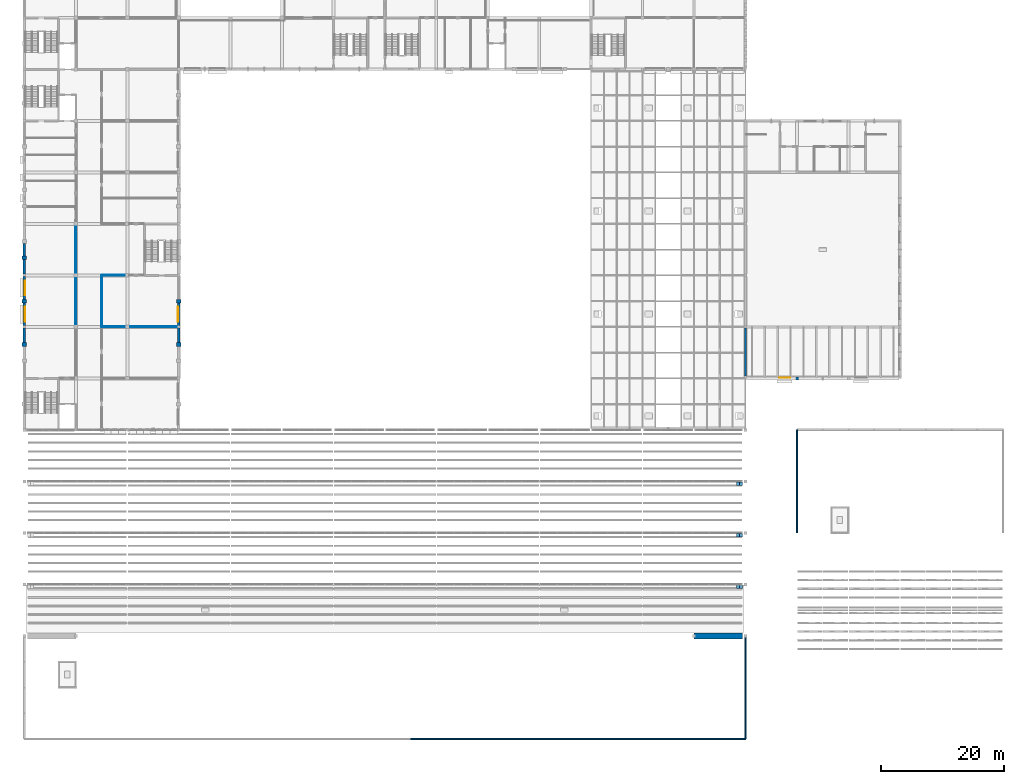
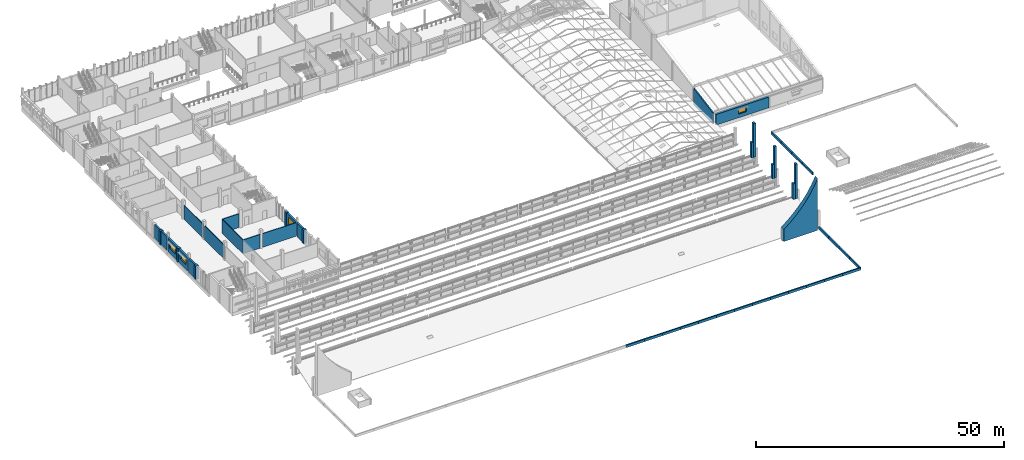
# One storey, part 94 of 116: 48 walls, 4 windows, 4 openings.
"""IFC4 building model written with IfcOpenShell, lengths in metres."""

from ifc_helpers import new_model, si_unit, direction, frame, frame_2d, origin, place, context, subcontext, project, spatial, polyline, rectangle, outline, extrude, material, layer, layer_set, type_object, element, fill, save


model = new_model("IFC4")

# Units and contexts
model_context = context("Model", 3, precision=1e-05, world=origin(), true_north=direction((0.0, 1.0)))
body_context = subcontext(model_context, "Body", "Model", "MODEL_VIEW")
ifc_project = project(units=[si_unit("LENGTHUNIT", "METRE"), si_unit("AREAUNIT", "SQUARE_METRE"), si_unit("VOLUMEUNIT", "CUBIC_METRE"), si_unit("PLANEANGLEUNIT", "RADIAN"), si_unit("MASSUNIT", "GRAM", prefix="KILO")], contexts=[model_context])

# Site, building, storey
site_placement = place(None, origin())
site = spatial("IfcSite", under=ifc_project, at=site_placement, CompositionType="ELEMENT")
building_placement = place(site_placement, origin())
building = spatial("IfcBuilding", under=site, at=building_placement, Name="Fescue Hill Polytechnic", CompositionType="ELEMENT")
storey_placement = place(building_placement, frame((0.0, 0.0, 13.5)))
storey = spatial("IfcBuildingStorey", under=building, at=storey_placement, Name="L03", CompositionType="ELEMENT", Elevation=13.5)

# Walls
ifc_material_1 = material(Name="Clay brick masonry", Category="masonry")
ifc_layer_1 = layer(ifc_material_1, 0.60009765625)
ifc_layer_set_1 = layer_set([ifc_layer_1], Name="Clay brick masonry")
wall_type_1 = type_object("IfcWallType", Name="Brick crest pier 600", PredefinedType="SOLIDWALL", material=ifc_layer_set_1)
wall_1_placement = place(storey_placement, frame((117.10009765625, 24.800048828125, 2.949951171875), z_axis=(0.0, 0.0, 1.0), x_axis=(-1.0, 0.0, 0.0)))
element("IfcWall", 1, at=wall_1_placement, inside=storey, type_object=wall_type_1, Name="Hall east gable crest buttress 01", PredefinedType="SOLIDWALL", context=body_context, shape_type="SweptSolid", body=[
    extrude(rectangle(XDim=0.5, YDim=0.60009765625, at=frame_2d((0.25, 0.0))), origin(), (0.0, 0.0, 1.0), 8.526123046875),
])
wall_2_placement = place(storey_placement, frame((116.60009765625, 24.800048828125, 2.949951171875), z_axis=(0.0, 0.0, 1.0), x_axis=(-1.0, 0.0, 0.0)))
element("IfcWall", 2, at=wall_2_placement, inside=storey, type_object=wall_type_1, Name="Hall east gable crest buttress 01 foot", PredefinedType="SOLIDWALL", context=body_context, shape_type="SweptSolid", body=[
    extrude(rectangle(XDim=0.5, YDim=0.60009765625, at=frame_2d((0.25, 0.0))), origin(), (0.0, 0.0, 1.0), 3.837158203125),
])
wall_3_placement = place(storey_placement, frame((117.10009765625, 33.199951171875, 2.949951171875), z_axis=(0.0, 0.0, 1.0), x_axis=(-1.0, 0.0, 0.0)))
element("IfcWall", 3, at=wall_3_placement, inside=storey, type_object=wall_type_1, Name="Hall east gable crest buttress 02", PredefinedType="SOLIDWALL", context=body_context, shape_type="SweptSolid", body=[
    extrude(rectangle(XDim=0.5, YDim=0.60009765625, at=frame_2d((0.25, 0.0))), origin(), (0.0, 0.0, 1.0), 7.697021484375),
])
wall_4_placement = place(storey_placement, frame((116.60009765625, 33.199951171875, 2.949951171875), z_axis=(0.0, 0.0, 1.0), x_axis=(-1.0, 0.0, 0.0)))
element("IfcWall", 4, at=wall_4_placement, inside=storey, type_object=wall_type_1, Name="Hall east gable crest buttress 02 foot", PredefinedType="SOLIDWALL", context=body_context, shape_type="SweptSolid", body=[
    extrude(rectangle(XDim=0.5, YDim=0.60009765625, at=frame_2d((0.25, 0.0))), origin(), (0.0, 0.0, 1.0), 3.464111328125),
])
wall_5_placement = place(storey_placement, frame((117.10009765625, 41.60009765625, 2.949951171875), z_axis=(0.0, 0.0, 1.0), x_axis=(-1.0, 0.0, 0.0)))
element("IfcWall", 5, at=wall_5_placement, inside=storey, type_object=wall_type_1, Name="Hall east gable crest buttress 03", PredefinedType="SOLIDWALL", context=body_context, shape_type="SweptSolid", body=[
    extrude(rectangle(XDim=0.5, YDim=0.60009765625, at=frame_2d((0.25, 0.0))), origin(), (0.0, 0.0, 1.0), 8.381103515625),
])
wall_6_placement = place(storey_placement, frame((116.60009765625, 41.60009765625, 2.949951171875), z_axis=(0.0, 0.0, 1.0), x_axis=(-1.0, 0.0, 0.0)))
element("IfcWall", 6, at=wall_6_placement, inside=storey, type_object=wall_type_1, Name="Hall east gable crest buttress 03 foot", PredefinedType="SOLIDWALL", context=body_context, shape_type="SweptSolid", body=[
    extrude(rectangle(XDim=0.5, YDim=0.60009765625, at=frame_2d((0.25, 0.0))), origin(), (0.0, 0.0, 1.0), 3.77099609375),
])
ifc_layer_2 = layer(ifc_material_1, 1.0)
ifc_layer_set_2 = layer_set([ifc_layer_2], Name="Clay brick masonry")
wall_type_2 = type_object("IfcWallType", Name="Brick crest wall 1000", PredefinedType="SOLIDWALL", material=ifc_layer_set_2)
wall_7_placement = place(storey_placement, frame((109.199951171875, 16.800048828125, 0.0), z_axis=(0.0, 0.0, 1.0), x_axis=(1.0, 0.0, 0.0)))
element("IfcWall", 7, at=wall_7_placement, inside=storey, type_object=wall_type_2, Name="Hall east crest south return", PredefinedType="SOLIDWALL", context=body_context, shape_type="SweptSolid", body=[
    extrude(outline(polyline([(0.0, 0.0), (7.900146484375, 0.0), (7.89990234375, 12.809326171875), (6.91259765625, 10.851806640625), (5.925048828125, 9.2373046875), (4.9375, 7.8564453125), (3.949951171875, 6.64990234375), (2.96240234375, 5.581787109375), (1.97509765625, 4.6279296875), (0.987548828125, 3.771484375), (0.0, 3.0), (0.0, 0.0)])), frame((0.0, 0.5, 0.0), z_axis=(0.0, -1.0, 0.0), x_axis=(1.0, 0.0, 0.0)), (0.0, 0.0, 1.0), 1.0),
])
ifc_material_2 = material(Name="Gypsum board partition")
ifc_layer_3 = layer(ifc_material_2, 0.14990234375)
ifc_layer_set_3 = layer_set([ifc_layer_3], Name="Gypsum board partition")
wall_type_3 = type_object("IfcWallType", Name="Corridor wall 150 EI 45", PredefinedType="PARTITIONING", material=ifc_layer_set_3)
wall_8_placement = place(storey_placement, frame((12.60009765625, 67.199951171875, 0.0), z_axis=(0.0, 0.0, 1.0), x_axis=(0.0, 1.0, 0.0)))
element("IfcWall", 8, at=wall_8_placement, inside=storey, type_object=wall_type_3, Name="IW-L03-045", PredefinedType="PARTITIONING", context=body_context, shape_type="SweptSolid", body=[
    extrude(rectangle(XDim=8.400146484375, YDim=0.14990234375, at=frame_2d((4.2001953125, 0.0))), origin(), (0.0, 0.0, 1.0), 3.39990234375),
])

# Wall, opening, window
ifc_material_3 = material(Name="Concrete 40 MPa", Category="concrete")
ifc_layer_4 = layer(ifc_material_3, 0.449951171875)
ifc_layer_set_4 = layer_set([ifc_layer_4], Name="Concrete 40 MPa")
wall_type_4 = type_object("IfcWallType", Name="Exterior wall board-marked concrete 450", PredefinedType="SOLIDWALL", material=ifc_layer_set_4)
wall_9_placement = place(storey_placement, frame((117.800048828125, 58.800048828125, 0.0), z_axis=(0.0, 0.0, 1.0), x_axis=(1.0, 0.0, 0.0)))
wall_9 = element("IfcWall", 9, at=wall_9_placement, inside=storey, type_object=wall_type_4, Name="EW-L03-V2-14", PredefinedType="SOLIDWALL", context=body_context, shape_type="SweptSolid", body=[
    extrude(rectangle(XDim=12.33984375, YDim=0.449951171875, at=frame_2d((6.169921875, 0.0))), origin(), (0.0, 0.0, 1.0), 2.64990234375),
])
opening_1_placement = place(wall_9_placement, frame((5.27001953125, 0.0, 0.89990234375)))
opening_1 = element("IfcOpeningElement", 10, at=opening_1_placement, cuts=wall_9, Name="Opening W7R", PredefinedType="OPENING", context=body_context, shape_type="SweptSolid", body=[
    extrude(rectangle(XDim=1.800048828125, YDim=1.199951171875, at=frame_2d((0.89990234375, 0.60009765625))), frame((0.0, 0.23486328125, 0.0), z_axis=(0.0, -1.0, 0.0), x_axis=(1.0, 0.0, 0.0)), (0.0, 0.0, 1.0), 0.469970703125),
])
ifc_material_4 = material(Name="Powder-coated aluminium and glass", Category="aluminium")
window_type_1 = type_object("IfcWindowType", Name="Window seminar 1800x1200", PartitioningType="DOUBLE_PANEL_VERTICAL", PredefinedType="WINDOW", material=ifc_material_4)
window_1_placement = place(opening_1_placement, origin())
window_1 = element("IfcWindow", 11, at=window_1_placement, inside=storey, type_object=window_type_1, Name="WN-L03-V2-3", OverallHeight=1.199951171875, OverallWidth=1.800048828125, PartitioningType="SINGLE_PANEL", PredefinedType="WINDOW", context=body_context, shape_type="SweptSolid", body=[
    extrude(rectangle(XDim=1.800048828125, YDim=1.199951171875, at=frame_2d((0.89990234375, 0.60009765625))), frame((0.0, 0.135009765625, 0.0), z_axis=(0.0, -1.0, 0.0), x_axis=(1.0, 0.0, 0.0)), (0.0, 0.0, 1.0), 0.06005859375),
])
fill(opening_1, window_1)

# Wall
ifc_material_5 = material(Name="Terracotta rainscreen on concrete block", Category="masonry")
ifc_layer_5 = layer(ifc_material_5, 0.3798828125)
ifc_layer_set_5 = layer_set([ifc_layer_5], Name="Terracotta rainscreen on concrete block")
wall_type_5 = type_object("IfcWallType", Name="Exterior wall rainscreen terracotta on blockwork 380", PredefinedType="SOLIDWALL", material=ifc_layer_set_5)
wall_10_placement = place(storey_placement, frame((25.199951171875, 64.63330078125, 0.0), z_axis=(0.0, 0.0, 1.0), x_axis=(0.0, 1.0, 0.0)))
element("IfcWall", 12, at=wall_10_placement, inside=storey, type_object=wall_type_5, Name="EW-L03-V4-5", PredefinedType="SOLIDWALL", context=body_context, shape_type="SweptSolid", body=[
    extrude(rectangle(XDim=2.36669921875, YDim=0.3798828125, at=frame_2d((1.183349609375, 0.0))), origin(), (0.0, 0.0, 1.0), 3.35009765625),
])

# Wall, opening, window
wall_11_placement = place(storey_placement, frame((25.199951171875, 67.39990234375, 0.0), z_axis=(0.0, 0.0, 1.0), x_axis=(0.0, 1.0, 0.0)))
wall_11 = element("IfcWall", 13, at=wall_11_placement, inside=storey, type_object=wall_type_5, Name="EW-L03-V4-6", PredefinedType="SOLIDWALL", context=body_context, shape_type="SweptSolid", body=[
    extrude(rectangle(XDim=3.7001953125, YDim=0.3798828125, at=frame_2d((1.85009765625, 0.0))), origin(), (0.0, 0.0, 1.0), 3.35009765625),
])
opening_2_placement = place(wall_11_placement, frame((0.64990234375, 0.0, 1.199951171875)))
opening_2 = element("IfcOpeningElement", 14, at=opening_2_placement, cuts=wall_11, Name="Opening W3", PredefinedType="OPENING", context=body_context, shape_type="SweptSolid", body=[
    extrude(rectangle(XDim=2.39990234375, YDim=1.5, at=frame_2d((1.199951171875, 0.75))), frame((0.0, 0.199951171875, 0.0), z_axis=(0.0, -1.0, 0.0), x_axis=(1.0, 0.0, 0.0)), (0.0, 0.0, 1.0), 0.39990234375),
])
window_type_2 = type_object("IfcWindowType", Name="Window laboratory strip 2400x1500", PartitioningType="TRIPLE_PANEL_VERTICAL", PredefinedType="WINDOW", material=ifc_material_4)
window_2_placement = place(opening_2_placement, origin())
window_2 = element("IfcWindow", 15, at=window_2_placement, inside=storey, type_object=window_type_2, Name="WN-L03-V4-3", OverallHeight=1.5, OverallWidth=2.39990234375, PartitioningType="SINGLE_PANEL", PredefinedType="WINDOW", context=body_context, shape_type="SweptSolid", body=[
    extrude(rectangle(XDim=2.39990234375, YDim=1.5, at=frame_2d((1.199951171875, 0.75))), frame((0.0, 0.150146484375, 0.0), z_axis=(0.0, -1.0, 0.0), x_axis=(1.0, 0.0, 0.0)), (0.0, 0.0, 1.0), 0.06005859375),
])
fill(opening_2, window_2)

# Walls
wall_12_placement = place(storey_placement, frame((0.0, 80.833251953125, 0.0), z_axis=(0.0, 0.0, 1.0), x_axis=(0.0, -1.0, 0.0)))
element("IfcWall", 16, at=wall_12_placement, inside=storey, type_object=wall_type_5, Name="EW-L03-V4-27", PredefinedType="SOLIDWALL", context=body_context, shape_type="SweptSolid", body=[
    extrude(rectangle(XDim=2.066650390625, YDim=0.3798828125, at=frame_2d((1.033203125, 0.0))), origin(), (0.0, 0.0, 1.0), 3.35009765625),
])
wall_13_placement = place(storey_placement, frame((0.0, 78.166748046875, 0.0), z_axis=(0.0, 0.0, 1.0), x_axis=(0.0, -1.0, 0.0)))
element("IfcWall", 17, at=wall_13_placement, inside=storey, type_object=wall_type_5, Name="EW-L03-V4-28", PredefinedType="SOLIDWALL", context=body_context, shape_type="SweptSolid", body=[
    extrude(rectangle(XDim=2.36669921875, YDim=0.3798828125, at=frame_2d((1.183349609375, 0.0))), origin(), (0.0, 0.0, 1.0), 3.35009765625),
])

# Wall, opening, window
wall_14_placement = place(storey_placement, frame((0.0, 75.39990234375, 0.0), z_axis=(0.0, 0.0, 1.0), x_axis=(0.0, -1.0, 0.0)))
wall_14 = element("IfcWall", 18, at=wall_14_placement, inside=storey, type_object=wall_type_5, Name="EW-L03-V4-29", PredefinedType="SOLIDWALL", context=body_context, shape_type="SweptSolid", body=[
    extrude(rectangle(XDim=3.699951171875, YDim=0.3798828125, at=frame_2d((1.85009765625, 0.0))), origin(), (0.0, 0.0, 1.0), 3.35009765625),
])
opening_3_placement = place(wall_14_placement, frame((0.64990234375, 0.0, 1.199951171875)))
opening_3 = element("IfcOpeningElement", 19, at=opening_3_placement, cuts=wall_14, Name="Opening W3", PredefinedType="OPENING", context=body_context, shape_type="SweptSolid", body=[
    extrude(rectangle(XDim=2.39990234375, YDim=1.5, at=frame_2d((1.199951171875, 0.75))), frame((0.0, 0.199951171875, 0.0), z_axis=(0.0, -1.0, 0.0), x_axis=(1.0, 0.0, 0.0)), (0.0, 0.0, 1.0), 0.39990234375),
])
window_3_placement = place(opening_3_placement, origin())
window_3 = element("IfcWindow", 20, at=window_3_placement, inside=storey, type_object=window_type_2, Name="WN-L03-V4-12", OverallHeight=1.5, OverallWidth=2.39990234375, PartitioningType="SINGLE_PANEL", PredefinedType="WINDOW", context=body_context, shape_type="SweptSolid", body=[
    extrude(rectangle(XDim=2.39990234375, YDim=1.5, at=frame_2d((1.199951171875, 0.75))), frame((0.0, 0.150146484375, 0.0), z_axis=(0.0, -1.0, 0.0), x_axis=(1.0, 0.0, 0.0)), (0.0, 0.0, 1.0), 0.06005859375),
])
fill(opening_3, window_3)

wall_15_placement = place(storey_placement, frame((0.0, 71.10009765625, 0.0), z_axis=(0.0, 0.0, 1.0), x_axis=(0.0, -1.0, 0.0)))
wall_15 = element("IfcWall", 21, at=wall_15_placement, inside=storey, type_object=wall_type_5, Name="EW-L03-V4-30", PredefinedType="SOLIDWALL", context=body_context, shape_type="SweptSolid", body=[
    extrude(rectangle(XDim=3.7001953125, YDim=0.3798828125, at=frame_2d((1.85009765625, 0.0))), origin(), (0.0, 0.0, 1.0), 3.35009765625),
])
opening_4_placement = place(wall_15_placement, frame((0.64990234375, 0.0, 1.199951171875)))
opening_4 = element("IfcOpeningElement", 22, at=opening_4_placement, cuts=wall_15, Name="Opening W3", PredefinedType="OPENING", context=body_context, shape_type="SweptSolid", body=[
    extrude(rectangle(XDim=2.39990234375, YDim=1.5, at=frame_2d((1.199951171875, 0.75))), frame((0.0, 0.199951171875, 0.0), z_axis=(0.0, -1.0, 0.0), x_axis=(1.0, 0.0, 0.0)), (0.0, 0.0, 1.0), 0.39990234375),
])
window_4_placement = place(opening_4_placement, origin())
window_4 = element("IfcWindow", 23, at=window_4_placement, inside=storey, type_object=window_type_2, Name="WN-L03-V4-13", OverallHeight=1.5, OverallWidth=2.39990234375, PartitioningType="SINGLE_PANEL", PredefinedType="WINDOW", context=body_context, shape_type="SweptSolid", body=[
    extrude(rectangle(XDim=2.39990234375, YDim=1.5, at=frame_2d((1.199951171875, 0.75))), frame((0.0, 0.150146484375, 0.0), z_axis=(0.0, -1.0, 0.0), x_axis=(1.0, 0.0, 0.0)), (0.0, 0.0, 1.0), 0.06005859375),
])
fill(opening_4, window_4)

# Walls
wall_16_placement = place(storey_placement, frame((0.0, 67.0, 0.0), z_axis=(0.0, 0.0, 1.0), x_axis=(0.0, -1.0, 0.0)))
element("IfcWall", 24, at=wall_16_placement, inside=storey, type_object=wall_type_5, Name="EW-L03-V4-31", PredefinedType="SOLIDWALL", context=body_context, shape_type="SweptSolid", body=[
    extrude(rectangle(XDim=2.36669921875, YDim=0.3798828125, at=frame_2d((1.183349609375, 0.0))), origin(), (0.0, 0.0, 1.0), 3.35009765625),
])
ifc_layer_6 = layer(ifc_material_3, 0.699951171875)
ifc_layer_set_6 = layer_set([ifc_layer_6], Name="Concrete 40 MPa")
wall_type_6 = type_object("IfcWallType", Name="Fin wall board-marked 600x700", PredefinedType="SOLIDWALL", material=ifc_layer_set_6)
wall_17_placement = place(storey_placement, frame((25.199951171875, 64.033203125, 0.0), z_axis=(0.0, 0.0, 1.0), x_axis=(0.0, 1.0, 0.0)))
element("IfcWall", 25, at=wall_17_placement, inside=storey, type_object=wall_type_6, Name="PR-L03-V4-3", PredefinedType="SOLIDWALL", context=body_context, shape_type="SweptSolid", body=[
    extrude(rectangle(XDim=0.60009765625, YDim=0.699951171875, at=frame_2d((0.300048828125, 0.0))), origin(), (0.0, 0.0, 1.0), 3.35009765625),
])
for number, where, z_axis, x_axis, name in (
    (26, (25.199951171875, 71.10009765625, 0.0), (0.0, 0.0, 1.0), (0.0, 1.0, 0.0), "PR-L03-V4-4"),
    (27, (0.0, 78.7666015625, 0.0), (0.0, 0.0, 1.0), (0.0, -1.0, 0.0), "PR-L03-V4-17"),
    (28, (0.0, 71.699951171875, 0.0), (0.0, 0.0, 1.0), (0.0, -1.0, 0.0), "PR-L03-V4-18"),
):
    element("IfcWall", number, at=place(storey_placement, frame(where, z_axis=z_axis, x_axis=x_axis)), inside=storey, type_object=wall_type_6, Name=name, PredefinedType="SOLIDWALL", context=body_context, shape_type="SweptSolid", body=[
        extrude(rectangle(XDim=0.599853515625, YDim=0.699951171875, at=frame_2d((0.2998046875, 0.0))), origin(), (0.0, 0.0, 1.0), 3.35009765625),
    ])
wall_18_placement = place(storey_placement, frame((0.0, 64.63330078125, 0.0), z_axis=(0.0, 0.0, 1.0), x_axis=(0.0, -1.0, 0.0)))
element("IfcWall", 29, at=wall_18_placement, inside=storey, type_object=wall_type_6, Name="PR-L03-V4-19", PredefinedType="SOLIDWALL", context=body_context, shape_type="SweptSolid", body=[
    extrude(rectangle(XDim=0.60009765625, YDim=0.699951171875, at=frame_2d((0.300048828125, 0.0))), origin(), (0.0, 0.0, 1.0), 3.35009765625),
])
ifc_layer_7 = layer(ifc_material_3, 0.300048828125)
ifc_layer_set_7 = layer_set([ifc_layer_7], Name="Concrete 40 MPa")
wall_type_7 = type_object("IfcWallType", Name="Hall wall concrete 300 fire rated", PredefinedType="SOLIDWALL", material=ifc_layer_set_7)
wall_19_placement = place(storey_placement, frame((117.60009765625, 67.0, 0.0), z_axis=(0.0, 0.0, 1.0), x_axis=(0.0, -1.0, 0.0)))
element("IfcWall", 30, at=wall_19_placement, inside=storey, type_object=wall_type_7, Name="EW-L03-V2-27", PredefinedType="SOLIDWALL", context=body_context, shape_type="SweptSolid", body=[
    extrude(outline(polyline([(0.0, 0.0), (7.800048828125, 0.0), (7.800048828125, 2.721435546875), (0.0, 4.1142578125), (0.0, 0.0)])), frame((0.0, 0.14990234375, 0.0), z_axis=(0.0, -1.0, 0.0), x_axis=(1.0, 0.0, 0.0)), (0.0, 0.0, 1.0), 0.300048828125),
])
ifc_material_6 = material(Name="Concrete masonry block 15 MPa", Category="masonry")
ifc_layer_8 = layer(ifc_material_6, 0.14990234375)
ifc_layer_set_8 = layer_set([ifc_layer_8], Name="Concrete masonry block 15 MPa")
wall_type_8 = type_object("IfcWallType", Name="Laboratory wall 150 block EI 60", PredefinedType="PARTITIONING", material=ifc_layer_set_8)
wall_20_placement = place(storey_placement, frame((12.60009765625, 67.199951171875, 0.0), z_axis=(0.0, 0.0, 1.0), x_axis=(1.0, 0.0, 0.0)))
element("IfcWall", 31, at=wall_20_placement, inside=storey, type_object=wall_type_8, Name="IW-L03-004", PredefinedType="PARTITIONING", context=body_context, shape_type="SweptSolid", body=[
    extrude(rectangle(XDim=3.89990234375, YDim=0.14990234375, at=frame_2d((1.949951171875, 0.0))), origin(), (0.0, 0.0, 1.0), 3.39990234375),
])
wall_21_placement = place(storey_placement, frame((17.10009765625, 67.199951171875, 0.0), z_axis=(0.0, 0.0, 1.0), x_axis=(1.0, 0.0, 0.0)))
element("IfcWall", 32, at=wall_21_placement, inside=storey, type_object=wall_type_8, Name="IW-L03-005", PredefinedType="PARTITIONING", context=body_context, shape_type="SweptSolid", body=[
    extrude(rectangle(XDim=7.89990234375, YDim=0.14990234375, at=frame_2d((3.949951171875, 0.0))), origin(), (0.0, 0.0, 1.0), 3.35009765625),
])
for number, where, z_axis, x_axis, name in (
    (33, (8.39990234375, 67.5, 0.0), (0.0, 0.0, 1.0), (0.0, 1.0, 0.0), "IW-L03-038"),
    (34, (8.39990234375, 75.89990234375, 0.0), (0.0, 0.0, 1.0), (0.0, 1.0, 0.0), "IW-L03-039"),
):
    element("IfcWall", number, at=place(storey_placement, frame(where, z_axis=z_axis, x_axis=x_axis)), inside=storey, type_object=wall_type_8, Name=name, PredefinedType="PARTITIONING", context=body_context, shape_type="SweptSolid", body=[
        extrude(rectangle(XDim=7.800048828125, YDim=0.14990234375, at=frame_2d((3.89990234375, 0.0))), origin(), (0.0, 0.0, 1.0), 3.39990234375),
    ])
ifc_layer_9 = layer(ifc_material_2, 0.14990234375)
ifc_layer_set_9 = layer_set([ifc_layer_9], Name="Gypsum board partition")
wall_type_9 = type_object("IfcWallType", Name="Lobby wall 150 EI 60", PredefinedType="PARTITIONING", material=ifc_layer_set_9)
wall_22_placement = place(storey_placement, frame((12.60009765625, 75.60009765625, 0.0), z_axis=(0.0, 0.0, 1.0), x_axis=(1.0, 0.0, 0.0)))
element("IfcWall", 35, at=wall_22_placement, inside=storey, type_object=wall_type_9, Name="IW-L03-006", PredefinedType="PARTITIONING", context=body_context, shape_type="SweptSolid", body=[
    extrude(rectangle(XDim=3.89990234375, YDim=0.14990234375, at=frame_2d((1.949951171875, 0.0))), origin(), (0.0, 0.0, 1.0), 3.39990234375),
])
ifc_layer_10 = layer(ifc_material_1, 0.300048828125)
ifc_layer_set_10 = layer_set([ifc_layer_10], Name="Clay brick masonry")
wall_type_10 = type_object("IfcWallType", Name="Parapet wall brick 300", PredefinedType="PARAPET", material=ifc_layer_set_10)
for number, where, z_axis, x_axis, name in (
    (36, (117.60009765625, 16.75, 0.0), (0.0, 0.0, 1.0), (0.0, -1.0, 0.0), "PP-L03-V1-1"),
    (37, (117.60009765625, 12.5625, 0.0), (0.0, 0.0, 1.0), (0.0, -1.0, 0.0), "PP-L03-V1-2"),
    (38, (117.60009765625, 8.375, 0.0), (0.0, 0.0, 1.0), (0.0, -1.0, 0.0), "PP-L03-V1-3"),
    (39, (117.60009765625, 4.1875, 0.0), (0.0, 0.0, 1.0), (0.0, -1.0, 0.0), "PP-L03-V1-4"),
):
    element("IfcWall", number, at=place(storey_placement, frame(where, z_axis=z_axis, x_axis=x_axis)), inside=storey, type_object=wall_type_10, Name=name, PredefinedType="PARAPET", context=body_context, shape_type="SweptSolid", body=[
        extrude(rectangle(XDim=4.1875, YDim=0.300048828125, at=frame_2d((2.09375, 0.0))), origin(), (0.0, 0.0, 1.0), 0.60009765625),
    ])
wall_23_placement = place(storey_placement, frame((117.60009765625, 0.0, 0.0), z_axis=(0.0, 0.0, 1.0), x_axis=(-1.0, 0.0, 0.0)))
element("IfcWall", 40, at=wall_23_placement, inside=storey, type_object=wall_type_10, Name="PP-L03-V1-5", PredefinedType="PARAPET", context=body_context, shape_type="SweptSolid", body=[
    extrude(rectangle(XDim=4.2001953125, YDim=0.300048828125, at=frame_2d((2.10009765625, 0.0))), origin(), (0.0, 0.0, 1.0), 0.60009765625),
])
for number, where, z_axis, x_axis, name in (
    (41, (113.39990234375, 0.0, 0.0), (0.0, 0.0, 1.0), (-1.0, 0.0, 0.0), "PP-L03-V1-6"),
    (42, (109.199951171875, 0.0, 0.0), (0.0, 0.0, 1.0), (-1.0, 0.0, 0.0), "PP-L03-V1-7"),
    (43, (105.0, 0.0, 0.0), (0.0, 0.0, 1.0), (-1.0, 0.0, 0.0), "PP-L03-V1-8"),
    (44, (100.800048828125, 0.0, 0.0), (0.0, 0.0, 1.0), (-1.0, 0.0, 0.0), "PP-L03-V1-9"),
):
    element("IfcWall", number, at=place(storey_placement, frame(where, z_axis=z_axis, x_axis=x_axis)), inside=storey, type_object=wall_type_10, Name=name, PredefinedType="PARAPET", context=body_context, shape_type="SweptSolid", body=[
        extrude(rectangle(XDim=4.199951171875, YDim=0.300048828125, at=frame_2d((2.10009765625, 0.0))), origin(), (0.0, 0.0, 1.0), 0.60009765625),
    ])
wall_24_placement = place(storey_placement, frame((96.60009765625, 0.0, 0.0), z_axis=(0.0, 0.0, 1.0), x_axis=(-1.0, 0.0, 0.0)))
element("IfcWall", 45, at=wall_24_placement, inside=storey, type_object=wall_type_10, Name="PP-L03-V1-10", PredefinedType="PARAPET", context=body_context, shape_type="SweptSolid", body=[
    extrude(rectangle(XDim=4.2001953125, YDim=0.300048828125, at=frame_2d((2.10009765625, 0.0))), origin(), (0.0, 0.0, 1.0), 0.60009765625),
])
for number, where, z_axis, x_axis, name in (
    (46, (92.39990234375, 0.0, 0.0), (0.0, 0.0, 1.0), (-1.0, 0.0, 0.0), "PP-L03-V1-11"),
    (47, (88.199951171875, 0.0, 0.0), (0.0, 0.0, 1.0), (-1.0, 0.0, 0.0), "PP-L03-V1-12"),
    (48, (84.0, 0.0, 0.0), (0.0, 0.0, 1.0), (-1.0, 0.0, 0.0), "PP-L03-V1-13"),
    (49, (79.800048828125, 0.0, 0.0), (0.0, 0.0, 1.0), (-1.0, 0.0, 0.0), "PP-L03-V1-14"),
):
    element("IfcWall", number, at=place(storey_placement, frame(where, z_axis=z_axis, x_axis=x_axis)), inside=storey, type_object=wall_type_10, Name=name, PredefinedType="PARAPET", context=body_context, shape_type="SweptSolid", body=[
        extrude(rectangle(XDim=4.199951171875, YDim=0.300048828125, at=frame_2d((2.10009765625, 0.0))), origin(), (0.0, 0.0, 1.0), 0.60009765625),
    ])
wall_25_placement = place(storey_placement, frame((75.60009765625, 0.0, 0.0), z_axis=(0.0, 0.0, 1.0), x_axis=(-1.0, 0.0, 0.0)))
element("IfcWall", 50, at=wall_25_placement, inside=storey, type_object=wall_type_10, Name="PP-L03-V1-15", PredefinedType="PARAPET", context=body_context, shape_type="SweptSolid", body=[
    extrude(rectangle(XDim=4.2001953125, YDim=0.300048828125, at=frame_2d((2.10009765625, 0.0))), origin(), (0.0, 0.0, 1.0), 0.60009765625),
])
for number, where, z_axis, x_axis, name in (
    (51, (71.39990234375, 0.0, 0.0), (0.0, 0.0, 1.0), (-1.0, 0.0, 0.0), "PP-L03-V1-16"),
    (52, (67.199951171875, 0.0, 0.0), (0.0, 0.0, 1.0), (-1.0, 0.0, 0.0), "PP-L03-V1-17"),
):
    element("IfcWall", number, at=place(storey_placement, frame(where, z_axis=z_axis, x_axis=x_axis)), inside=storey, type_object=wall_type_10, Name=name, PredefinedType="PARAPET", context=body_context, shape_type="SweptSolid", body=[
        extrude(rectangle(XDim=4.199951171875, YDim=0.300048828125, at=frame_2d((2.10009765625, 0.0))), origin(), (0.0, 0.0, 1.0), 0.60009765625),
    ])
for number, where, z_axis, x_axis, name in (
    (53, (126.0, 33.64990234375, 0.0), (0.0, 0.0, 1.0), (0.0, 1.0, 0.0), "PP-L03-V3-13"),
    (54, (126.0, 37.83740234375, 0.0), (0.0, 0.0, 1.0), (0.0, 1.0, 0.0), "PP-L03-V3-14"),
    (55, (126.0, 42.02490234375, 0.0), (0.0, 0.0, 1.0), (0.0, 1.0, 0.0), "PP-L03-V3-15"),
    (56, (126.0, 46.21240234375, 0.0), (0.0, 0.0, 1.0), (0.0, 1.0, 0.0), "PP-L03-V3-16"),
):
    element("IfcWall", number, at=place(storey_placement, frame(where, z_axis=z_axis, x_axis=x_axis)), inside=storey, type_object=wall_type_10, Name=name, PredefinedType="PARAPET", context=body_context, shape_type="SweptSolid", body=[
        extrude(rectangle(XDim=4.1875, YDim=0.300048828125, at=frame_2d((2.09375, 0.0))), origin(), (0.0, 0.0, 1.0), 0.60009765625),
    ])

save(model, "model.ifc")
